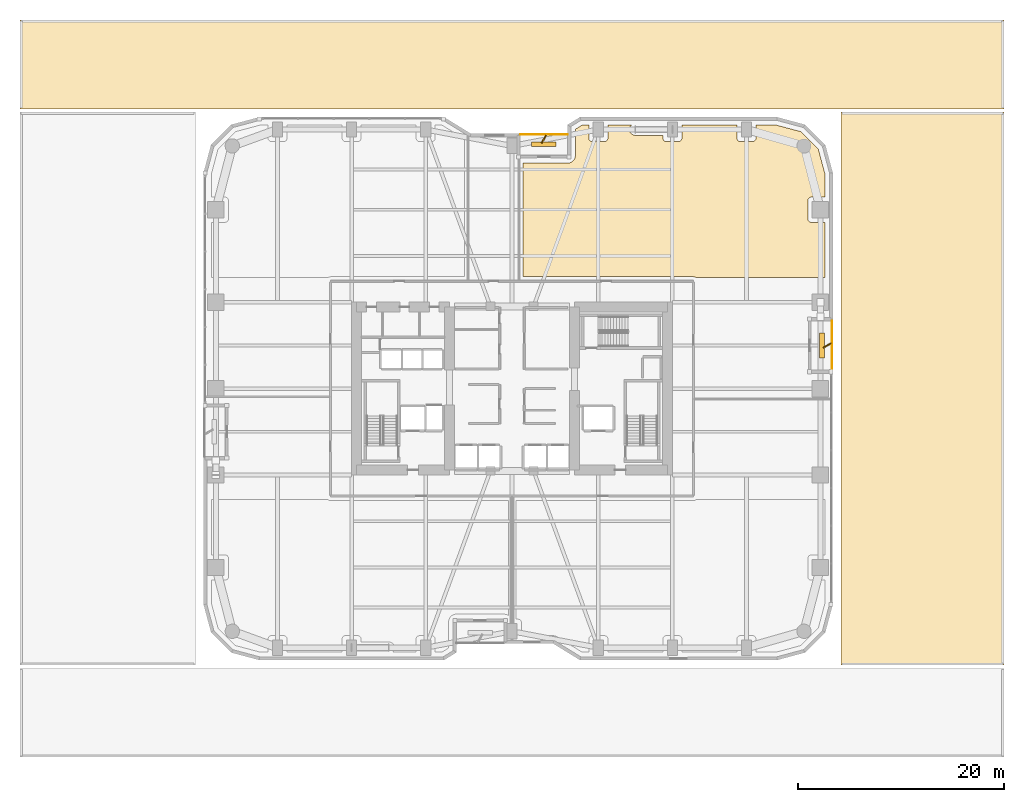
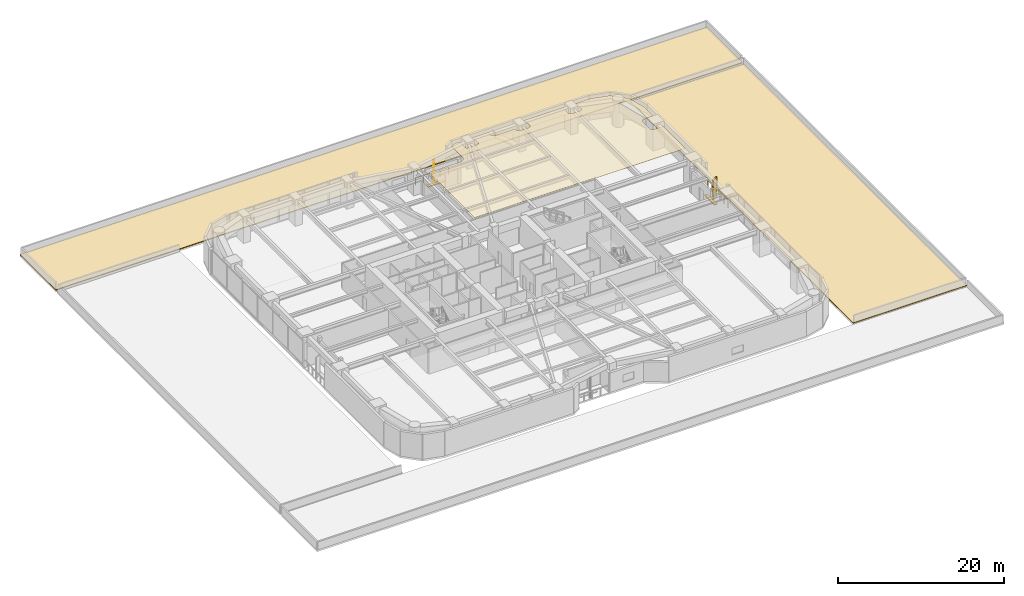
# One storey, part 38 of 38: 4 shading devices, 3 coverings, 2 railings.
"""IFC4 building model written with IfcOpenShell, lengths in metres."""

from ifc_helpers import new_model, si_unit, direction, frame, origin, origin_2d, place, context, subcontext, project, spatial, polyline, rectangle, outline, extrude, material, layer, layer_set, type_object, element, save


model = new_model("IFC4")

# Units and contexts
model_context = context("Model", 3, precision=1e-05, world=origin(), true_north=direction((0.0, 1.0)))
body_context = subcontext(model_context, "Body", "Model", "MODEL_VIEW")
ifc_project = project(units=[si_unit("LENGTHUNIT", "METRE"), si_unit("AREAUNIT", "SQUARE_METRE"), si_unit("VOLUMEUNIT", "CUBIC_METRE"), si_unit("PLANEANGLEUNIT", "RADIAN"), si_unit("MASSUNIT", "GRAM", prefix="KILO")], contexts=[model_context])

# Site, building, storey
site_placement = place(None, origin())
site = spatial("IfcSite", under=ifc_project, at=site_placement, CompositionType="ELEMENT")
building_placement = place(site_placement, origin())
building = spatial("IfcBuilding", under=site, at=building_placement, Name="Kiyonajd Concourse Tower", CompositionType="ELEMENT")
storey_placement = place(building_placement, frame((0.0, 0.0, 21.60009765625)))
storey = spatial("IfcBuildingStorey", under=building, at=storey_placement, Name="L06", CompositionType="ELEMENT", Elevation=21.60009765625)

# Coverings
ifc_material_1 = material(Name="Natural Oak Acoustic Timber Veneer", Category="wood")
ifc_layer_1 = layer(ifc_material_1, 0.0400390625)
ifc_layer_set_1 = layer_set([ifc_layer_1], Name="Natural Oak Acoustic Timber Veneer")
covering_type_1 = type_object("IfcCoveringType", Name="CV-CLG-ACST", PredefinedType="CEILING", material=ifc_layer_set_1)
covering_1_placement = place(storey_placement, frame((0.0, 0.0, 3.4599609375)))
element("IfcCovering", 1, at=covering_1_placement, inside=storey, type_object=covering_type_1, Name="L06-42 Room Acoustic Ceiling", PredefinedType="CEILING", context=body_context, shape_type="SweptSolid", body=[
    extrude(outline(polyline([(49.06005859375, 57.931884765625), (53.39990234375, 57.929931640625), (53.5419921875, 57.943115234375), (53.639892578125, 57.968994140625), (53.72802734375, 58.00390625), (53.839111328125, 58.068115234375), (53.95703125, 58.16796875), (54.056884765625, 58.300048828125), (54.10791015625, 58.39599609375), (54.131103515625, 58.4599609375), (54.1640625, 58.60791015625), (54.169921875, 61.23095703125), (54.818115234375, 61.6298828125), (55.469970703125, 61.6298828125), (55.469970703125, 60.3701171875), (55.47705078125, 60.302001953125), (55.510986328125, 60.205078125), (55.549072265625, 60.14794921875), (55.597900390625, 60.09912109375), (55.68603515625, 60.047119140625), (55.751953125, 60.027099609375), (55.820068359375, 60.02001953125), (57.013916015625, 60.02197265625), (57.114013671875, 60.047119140625), (57.174072265625, 60.0791015625), (57.22705078125, 60.123046875), (57.27099609375, 60.176025390625), (57.302978515625, 60.236083984375), (57.327880859375, 60.3359375), (57.330078125, 61.6298828125), (59.6259765625, 61.6298828125), (59.5390625, 61.533935546875), (59.498046875, 61.469970703125), (59.467041015625, 61.40087890625), (59.43603515625, 61.27490234375), (59.429931640625, 61.199951171875), (59.43603515625, 61.125), (59.467041015625, 60.9990234375), (59.498046875, 60.929931640625), (59.5390625, 60.865966796875), (59.637939453125, 60.759033203125), (59.759033203125, 60.68408203125), (59.87109375, 60.64501953125), (59.97802734375, 60.631103515625), (62.669921875, 60.6298828125), (62.672119140625, 60.3359375), (62.68505859375, 60.26806640625), (62.7109375, 60.205078125), (62.77294921875, 60.123046875), (62.85498046875, 60.06103515625), (62.91796875, 60.034912109375), (63.02001953125, 60.02001953125), (64.214111328125, 60.02197265625), (64.31396484375, 60.047119140625), (64.3740234375, 60.0791015625), (64.427001953125, 60.123046875), (64.489013671875, 60.205078125), (64.514892578125, 60.26806640625), (64.528076171875, 60.3359375), (64.530029296875, 61.6298828125), (69.8701171875, 61.6298828125), (69.8701171875, 60.3701171875), (69.876953125, 60.302001953125), (69.89697265625, 60.236083984375), (69.928955078125, 60.176025390625), (69.998046875, 60.09912109375), (70.0859375, 60.047119140625), (70.18603515625, 60.02197265625), (71.4140625, 60.02197265625), (71.513916015625, 60.047119140625), (71.573974609375, 60.0791015625), (71.626953125, 60.123046875), (71.68896484375, 60.205078125), (71.715087890625, 60.26806640625), (71.72802734375, 60.3359375), (71.72998046875, 61.6298828125), (73.698974609375, 61.6298828125), (76.10205078125, 60.986083984375), (77.785888671875, 59.302001953125), (78.429931640625, 56.89892578125), (78.429931640625, 54.6298828125), (77.1201171875, 54.6298828125), (77.052001953125, 54.623046875), (76.986083984375, 54.60302734375), (76.926025390625, 54.571044921875), (76.84912109375, 54.501953125), (76.81103515625, 54.445068359375), (76.784912109375, 54.382080078125), (76.77001953125, 54.280029296875), (76.77001953125, 52.52001953125), (76.784912109375, 52.41796875), (76.81103515625, 52.35498046875), (76.84912109375, 52.298095703125), (76.89794921875, 52.2490234375), (76.955078125, 52.2109375), (77.01806640625, 52.18505859375), (77.0859375, 52.172119140625), (78.429931640625, 52.169921875), (78.429931640625, 46.800048828125), (65.89794921875, 46.800048828125), (65.843017578125, 46.833984375), (65.780029296875, 46.860107421875), (65.64990234375, 46.8798828125), (49.06005859375, 46.8798828125), (49.06005859375, 57.931884765625)])), origin(), (0.0, 0.0, 1.0), 0.0400390625),
])
ifc_material_2 = material(Name="Engineered Hinoki Wood-Effect Architectural Tile", Category="wood")
ifc_layer_2 = layer(ifc_material_2, 0.1201171875)
ifc_layer_set_2 = layer_set([ifc_layer_2], Name="Engineered Hinoki Wood-Effect Architectural Tile")
covering_type_2 = type_object("IfcCoveringType", Name="CV-ROOF-MEMB", PredefinedType="ROOFING", material=ifc_layer_set_2)
covering_2_placement = place(storey_placement, origin())
element("IfcCovering", 2, at=covering_2_placement, inside=storey, type_object=covering_type_2, Name="L06 Setback Roof Membrane", PredefinedType="ROOFING", context=body_context, shape_type="SweptSolid", body=[
    extrude(outline(polyline([(95.85009765625, 71.85009765625), (95.85009765625, 63.199951171875), (0.14990234375, 63.199951171875), (0.14990234375, 71.85009765625), (95.85009765625, 71.85009765625)])), origin(), (0.0, 0.0, 1.0), 0.119873046875),
])
covering_3_placement = place(storey_placement, origin())
element("IfcCovering", 3, at=covering_3_placement, inside=storey, type_object=covering_type_2, Name="L06 Setback Roof Membrane", PredefinedType="ROOFING", context=body_context, shape_type="SweptSolid", body=[
    extrude(outline(polyline([(95.85009765625, 9.10009765625), (80.0, 9.10009765625), (80.0, 62.89990234375), (95.85009765625, 62.89990234375), (95.85009765625, 9.10009765625)])), origin(), (0.0, 0.0, 1.0), 0.119873046875),
])

# Railings
ifc_material_3 = material(Name="Thermally Broken Anodised Aluminium", Category="aluminium")
railing_type = type_object("IfcRailingType", Name="RL-GRD-LOG", PredefinedType="GUARDRAIL", material=ifc_material_3)
railing_1_placement = place(storey_placement, frame((53.39990234375, 60.719970703125, 0.0)))
element("IfcRailing", 4, at=railing_1_placement, inside=storey, type_object=railing_type, Name="L06 Engawa Loggia Perimeter Guard LOG-N", PredefinedType="GUARDRAIL", context=body_context, shape_type="SweptSolid", body=[
    extrude(rectangle(XDim=0.048095703125, YDim=0.048095703125, at=origin_2d()), frame((0.0, 0.0, 1.076171875), z_axis=(-1.0, 0.0, 0.0), x_axis=(0.0, -1.0, 0.0)), (0.0, 0.0, 1.0), 4.599853515625),
    extrude(rectangle(XDim=0.0419921875, YDim=0.0419921875, at=origin_2d()), origin(), (0.0, 0.0, 1.0), 1.052001953125),
    extrude(rectangle(XDim=0.0419921875, YDim=0.0419921875, at=origin_2d()), frame((-1.14990234375, 0.0, 0.0)), (0.0, 0.0, 1.0), 1.052001953125),
    extrude(rectangle(XDim=0.0419921875, YDim=0.0419921875, at=origin_2d()), frame((-2.2998046875, 0.0, 0.0)), (0.0, 0.0, 1.0), 1.052001953125),
    extrude(rectangle(XDim=0.0419921875, YDim=0.0419921875, at=origin_2d()), frame((-3.449951171875, 0.0, 0.0)), (0.0, 0.0, 1.0), 1.052001953125),
    extrude(rectangle(XDim=0.0419921875, YDim=0.0419921875, at=origin_2d()), frame((-4.599853515625, 0.0, 0.0)), (0.0, 0.0, 1.0), 1.052001953125),
])
railing_2_placement = place(storey_placement, frame((79.1201171875, 37.800048828125, 0.0)))
element("IfcRailing", 5, at=railing_2_placement, inside=storey, type_object=railing_type, Name="L06 Engawa Loggia Perimeter Guard LOG-E", PredefinedType="GUARDRAIL", context=body_context, shape_type="SweptSolid", body=[
    extrude(rectangle(XDim=0.048095703125, YDim=0.048095703125, at=origin_2d()), frame((0.0, 0.0, 1.076171875), z_axis=(0.0, 1.0, 0.0), x_axis=(-1.0, 0.0, 0.0)), (0.0, 0.0, 1.0), 4.800048828125),
    extrude(rectangle(XDim=0.0419921875, YDim=0.0419921875, at=origin_2d()), origin(), (0.0, 0.0, 1.0), 1.052001953125),
    extrude(rectangle(XDim=0.0419921875, YDim=0.0419921875, at=origin_2d()), frame((0.0, 0.9599609375, 0.0)), (0.0, 0.0, 1.0), 1.052001953125),
    extrude(rectangle(XDim=0.0419921875, YDim=0.0419921875, at=origin_2d()), frame((0.0, 1.919921875, 0.0)), (0.0, 0.0, 1.0), 1.052001953125),
    extrude(rectangle(XDim=0.0419921875, YDim=0.0419921875, at=origin_2d()), frame((0.0, 2.880126953125, 0.0)), (0.0, 0.0, 1.0), 1.052001953125),
    extrude(rectangle(XDim=0.0419921875, YDim=0.0419921875, at=origin_2d()), frame((0.0, 3.840087890625, 0.0)), (0.0, 0.0, 1.0), 1.052001953125),
    extrude(rectangle(XDim=0.0419921875, YDim=0.0419921875, at=origin_2d()), frame((0.0, 4.800048828125, 0.0)), (0.0, 0.0, 1.0), 1.052001953125),
])

# Shading devices
ifc_material_4 = material(Name="Precast concrete C50/60", Category="concrete")
shading_device_type_1 = type_object("IfcShadingDeviceType", Name="SH-FIN-900", PredefinedType="USERDEFINED", material=ifc_material_4)
for number, where, z_axis, x_axis, name in (
    (6, (51.10009765625, 60.27001953125, 0.0), (0.0, 0.0, 1.0), (0.5, 0.866025403784, 0.0), "L06 Angled Koshi Solar Fin LOG-N"),
    (7, (78.669921875, 40.199951171875, 0.0), (0.0, 0.0, 1.0), (0.866025403784, 0.5, 0.0), "L06 Angled Koshi Solar Fin LOG-E"),
):
    element("IfcShadingDevice", number, at=place(storey_placement, frame(where, z_axis=z_axis, x_axis=x_axis)), inside=storey, type_object=shading_device_type_1, Name=name, ObjectType="FIN", PredefinedType="USERDEFINED", context=body_context, shape_type="SweptSolid", body=[
        extrude(rectangle(XDim=0.89990234375, YDim=0.1201171875, at=origin_2d()), origin(), (0.0, 0.0, 1.0), 3.0),
    ])
shading_device_type_2 = type_object("IfcShadingDeviceType", Name="SH-LVR-600", PredefinedType="JALOUSIE", material=ifc_material_3)
for number, where, z_axis, x_axis, name in (
    (8, (51.10009765625, 59.75, -0.000244140625), (0.0, 0.0, 1.0), (1.0, 0.0, 0.0), "L06 Loggia Threshold Louver LOG-N"),
    (9, (78.14990234375, 40.199951171875, -0.000244140625), (0.0, 0.0, 1.0), (0.0, 1.0, 0.0), "L06 Loggia Threshold Louver LOG-E"),
):
    element("IfcShadingDevice", number, at=place(storey_placement, frame(where, z_axis=z_axis, x_axis=x_axis)), inside=storey, type_object=shading_device_type_2, Name=name, PredefinedType="JALOUSIE", context=body_context, shape_type="SweptSolid", body=[
        extrude(rectangle(XDim=2.39990234375, YDim=0.449951171875, at=origin_2d()), origin(), (0.0, 0.0, 1.0), 0.10009765625),
    ])

save(model, "model.ifc")
